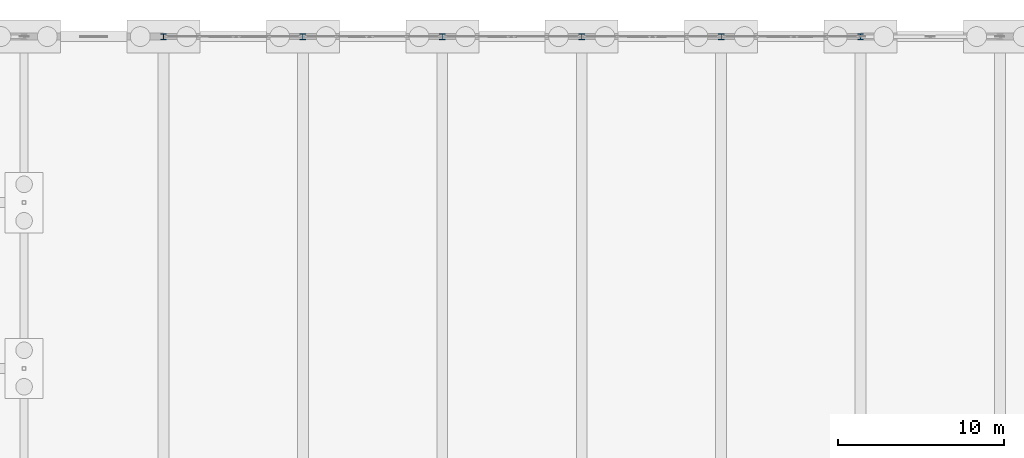
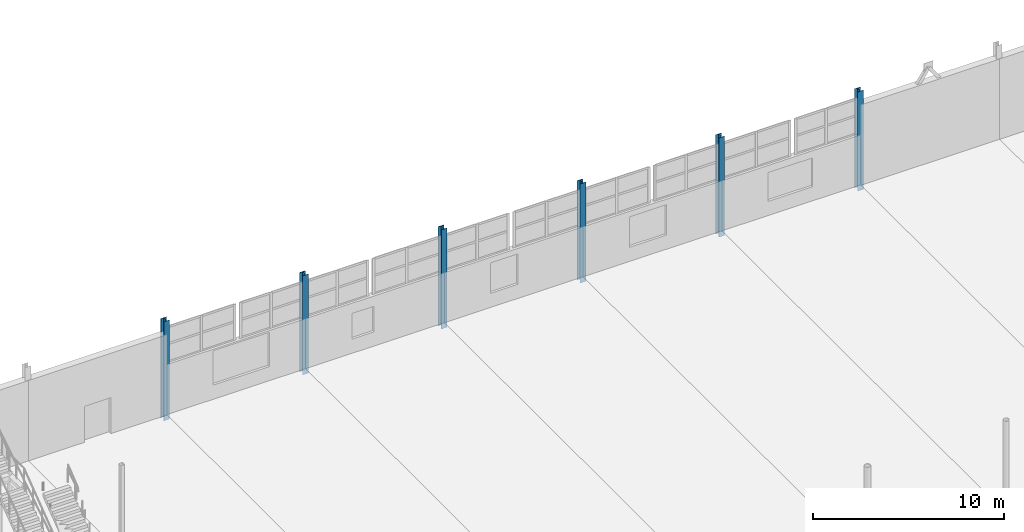
# One storey, part 49 of 139: 6 columns.
"""IFC4 building model written with IfcOpenShell, lengths in metres."""

import ifcopenshell
import ifcopenshell.guid

model = None  # the IFC model being written
_history = None  # IfcOwnerHistory: only IFC2X3 demands one
_inside = {}  # id of a spatial element -> (the spatial element, [elements in it])
_under = {}  # id of a project, library or spatial element -> (it, [spatial elements below it])
_declared = {}  # id of a project -> (the project, [libraries it declares])
_typed = {}  # id of a type object -> (the type object, [elements of that type])
_made_of = {}  # id of a material, layer set ... -> (it, [elements and type objects made of it])


def new_model(schema):
    """Start an empty IFC model of exactly this schema.

    Asked for "IFC4X3", IfcOpenShell would pick the latest addendum, in which some entities
    have other attributes; the version numbers below select the first issue.
    IFC2X3 requires an IfcOwnerHistory on every rooted entity: one is made here for all.
    """
    global model, _history
    if schema == "IFC4X3":
        model = ifcopenshell.file(schema_version=(4, 3, 0, 0))
    else:
        model = ifcopenshell.file(schema=schema)
    _inside.clear()
    _under.clear()
    _declared.clear()
    _typed.clear()
    _made_of.clear()
    _history = None
    if model.schema == "IFC2X3":
        org = make("IfcOrganization", Name="unknown")
        user = make(
            "IfcPersonAndOrganization",
            ThePerson=make("IfcPerson", FamilyName="unknown"),
            TheOrganization=org,
        )
        app = make(
            "IfcApplication",
            ApplicationDeveloper=org,
            Version="unknown",
            ApplicationFullName="unknown",
            ApplicationIdentifier="unknown",
        )
        _history = make(
            "IfcOwnerHistory",
            OwningUser=user,
            OwningApplication=app,
            ChangeAction="ADDED",
            CreationDate=0,
        )
    return model


def make(cls, **values):
    """One entity of the class cls with the attributes given. An attribute that is None is left unset."""
    return model.create_entity(
        cls, **{name: value for name, value in values.items() if value is not None}
    )


def rooted(cls, **values):
    """An entity with a GlobalId (a new one), such as an element, a storey or a relation."""
    return make(cls, GlobalId=ifcopenshell.guid.new(), OwnerHistory=_history, **values)


def si_unit(unit_type, name, prefix=None):
    """IfcSIUnit, for example si_unit("LENGTHUNIT", "METRE", prefix="MILLI")."""
    return make("IfcSIUnit", UnitType=unit_type, Prefix=prefix, Name=name)


def assignment(units):
    """IfcUnitAssignment: the units of a project."""
    return None if units is None else make("IfcUnitAssignment", Units=units)


def point(xyz):
    """IfcCartesianPoint."""
    return None if xyz is None else make("IfcCartesianPoint", Coordinates=xyz)


def direction(xyz):
    """IfcDirection."""
    return None if xyz is None else make("IfcDirection", DirectionRatios=xyz)


def frame(location, z_axis=None, x_axis=None):
    """IfcAxis2Placement3D, a coordinate frame: its origin and axes. An axis left out is left unset."""
    return make(
        "IfcAxis2Placement3D",
        Location=point(location),
        Axis=direction(z_axis),
        RefDirection=direction(x_axis),
    )


def frame_2d(location, x_axis=None):
    """IfcAxis2Placement2D, a coordinate frame in the plane: its origin and x axis."""
    return make(
        "IfcAxis2Placement2D", Location=point(location), RefDirection=direction(x_axis)
    )


def origin():
    """The frame at (0, 0, 0) with its axes left unset."""
    return frame((0.0, 0.0, 0.0))


def origin_2d():
    """The frame at (0, 0) in the plane with its x axis left unset."""
    return frame_2d((0.0, 0.0))


def place(relative_to, where):
    """IfcLocalPlacement: puts the frame where relative to a parent placement (None: the world)."""
    return make(
        "IfcLocalPlacement", PlacementRelTo=relative_to, RelativePlacement=where
    )


def context(
    kind, dimensions, precision=None, world=None, true_north=None, identifier=None
):
    """IfcGeometricRepresentationContext, for example the 3D "Model" context."""
    return make(
        "IfcGeometricRepresentationContext",
        ContextIdentifier=identifier,
        ContextType=kind,
        CoordinateSpaceDimension=dimensions,
        Precision=precision,
        WorldCoordinateSystem=world,
        TrueNorth=true_north,
    )


def subcontext(parent, identifier, kind, view, scale=None):
    """IfcGeometricRepresentationSubContext, for example "Body" below "Model"."""
    return make(
        "IfcGeometricRepresentationSubContext",
        ContextIdentifier=identifier,
        ContextType=kind,
        ParentContext=parent,
        TargetScale=scale,
        TargetView=view,
    )


def project(units=None, contexts=None):
    """IfcProject with its units and contexts."""
    return rooted(
        "IfcProject",
        Name="project",
        RepresentationContexts=contexts,
        UnitsInContext=assignment(units),
    )


def spatial(cls, under=None, at=None, **own):
    """A site, building, storey or space (cls), placed at a placement, below another one or the project."""
    s = rooted(cls, ObjectPlacement=at, **own)
    if under is not None:
        _under.setdefault(under.id(), (under, []))[1].append(s)
    return s


def profile(cls, at=None, kind="AREA", **sizes):
    """A parametric profile (cls). Its sizes go by their IFC names, for example OverallWidth=200.0."""
    return make(cls, ProfileType=kind, Position=at, **sizes)


def i_section(**sizes):
    """IfcIShapeProfileDef."""
    return profile("IfcIShapeProfileDef", **sizes)


def extrude(swept, where, along, depth):
    """IfcExtrudedAreaSolid: the profile swept, set in the frame where, extruded along a direction by depth."""
    return make(
        "IfcExtrudedAreaSolid",
        SweptArea=swept,
        Position=where,
        ExtrudedDirection=direction(along),
        Depth=depth,
    )


def shape(context_of_items, identifier, shape_type, items):
    """IfcShapeRepresentation: the items that make up one representation, for example the "Body"."""
    return make(
        "IfcShapeRepresentation",
        ContextOfItems=context_of_items,
        RepresentationIdentifier=identifier,
        RepresentationType=shape_type,
        Items=items,
    )


def material(Name=None, Category=None):
    """IfcMaterial."""
    return make("IfcMaterial", Name=Name, Category=Category)


def material_profile(
    of_material, cross_section, Name=None, Category=None, Priority=None
):
    """IfcMaterialProfile: a cross section and its material."""
    return make(
        "IfcMaterialProfile",
        Name=Name,
        Material=of_material,
        Profile=cross_section,
        Priority=Priority,
        Category=Category,
    )


def profile_set(profiles, Name=None, composite=None):
    """IfcMaterialProfileSet."""
    return make(
        "IfcMaterialProfileSet",
        Name=Name,
        MaterialProfiles=profiles,
        CompositeProfile=composite,
    )


def made_of(thing, what):
    """Note that an element or type object is made of a material, layer set ...; save() writes the relation."""
    if what is not None:
        _made_of.setdefault(what.id(), (what, []))[1].append(thing)
    return thing


def type_object(cls, material=None, **own):
    """A type object (cls), such as IfcWallType, which elements share."""
    return made_of(rooted(cls, **own), material)


def element(
    cls,
    number,
    at=None,
    inside=None,
    cuts=None,
    type_object=None,
    material=None,
    context=None,
    identifier="Body",
    shape_type=None,
    held_by="IfcProductDefinitionShape",
    body=None,
    shapes=None,
    **own,
):
    """One element of the class cls, such as IfcWall. Its Tag is "e" and its number.

    at: its placement. inside: the storey or other place that contains it. cuts: it is an
    opening in that element (IfcRelVoidsElement). A single representation is given by context,
    identifier, shape_type and body (its items); several are given by shapes. held_by: the class
    of the entity that holds the representations. save() writes the other relations.
    """
    e = rooted(cls, Tag="e%d" % number, ObjectPlacement=at, **own)
    if body is not None:
        shapes = [shape(context, identifier, shape_type, body)]
    if shapes is not None:
        e.Representation = make(held_by, Representations=shapes)
    if inside is not None:
        _inside.setdefault(inside.id(), (inside, []))[1].append(e)
    if cuts is not None:
        rooted(
            "IfcRelVoidsElement", RelatingBuildingElement=cuts, RelatedOpeningElement=e
        )
    if type_object is not None:
        _typed.setdefault(type_object.id(), (type_object, []))[1].append(e)
    return made_of(e, material)


def aggregate(whole, parts):
    """IfcRelAggregates: a whole, such as a stair, and the parts it consists of."""
    return rooted("IfcRelAggregates", RelatingObject=whole, RelatedObjects=parts)


def save(model, path):
    """Write the relations noted so far, then the file.

    IfcRelAggregates (storeys below a building ...), IfcRelContainedInSpatialStructure (elements
    in a storey), IfcRelDefinesByType, IfcRelAssociatesMaterial and IfcRelDeclares: one each for
    every whole, place, type object, material and project.
    """
    for whole, parts in _under.values():
        aggregate(whole, parts)
    for where, things in _inside.values():
        rooted(
            "IfcRelContainedInSpatialStructure",
            RelatedElements=things,
            RelatingStructure=where,
        )
    for kind, things in _typed.values():
        rooted("IfcRelDefinesByType", RelatedObjects=things, RelatingType=kind)
    for what, things in _made_of.values():
        rooted("IfcRelAssociatesMaterial", RelatedObjects=things, RelatingMaterial=what)
    for by, libraries in _declared.values():
        rooted("IfcRelDeclares", RelatingContext=by, RelatedDefinitions=libraries)
    model.write(path)


model = new_model("IFC4")

# Units and contexts
model_context = context("Model", 3, precision=1e-05, world=origin(), true_north=direction((0.0, 1.0)))
body_context = subcontext(model_context, "Body", "Model", "MODEL_VIEW")
ifc_project = project(units=[si_unit("LENGTHUNIT", "METRE"), si_unit("AREAUNIT", "SQUARE_METRE"), si_unit("VOLUMEUNIT", "CUBIC_METRE"), si_unit("PLANEANGLEUNIT", "RADIAN"), si_unit("MASSUNIT", "GRAM", prefix="KILO")], contexts=[model_context])

# Site, building, storey
site_placement = place(None, origin())
site = spatial("IfcSite", under=ifc_project, at=site_placement, CompositionType="ELEMENT")
building_placement = place(site_placement, origin())
building = spatial("IfcBuilding", under=site, at=building_placement, Name="Kazenagashi Tramway Depot", CompositionType="ELEMENT")
storey_placement = place(building_placement, origin())
storey = spatial("IfcBuildingStorey", under=building, at=storey_placement, Name="L01", CompositionType="ELEMENT", Elevation=0.0)

# Columns
ifc_material = material(Name="Steel SN490B", Category="steel")
ifc_material_profile = material_profile(ifc_material, i_section(OverallWidth=0.35, OverallDepth=0.35, WebThickness=0.012, FlangeThickness=0.019, at=origin_2d()), Name="H-350x350x12x19")
ifc_profile_set = profile_set([ifc_material_profile], Name="Steel SN490B")
column_type = type_object("IfcColumnType", Name="C-04", PredefinedType="COLUMN", material=ifc_profile_set)
for number, where, z_axis, x_axis, name in (
    (1, (70.0, 130.0, -0.35), (0.0, 0.0, 1.0), (1.0, 0.0, 0.0), "Column C-04 COL-0023"),
    (2, (78.4, 130.0, -0.35), (0.0, 0.0, 1.0), (1.0, 0.0, 0.0), "Column C-04 COL-0029"),
    (3, (86.8, 130.0, -0.35), (0.0, 0.0, 1.0), (1.0, 0.0, 0.0), "Column C-04 COL-0035"),
    (4, (95.2, 130.0, -0.35), (0.0, 0.0, 1.0), (1.0, 0.0, 0.0), "Column C-04 COL-0041"),
    (5, (103.6, 130.0, -0.35), (0.0, 0.0, 1.0), (1.0, 0.0, 0.0), "Column C-04 COL-0047"),
    (6, (112.0, 130.0, -0.35), (0.0, 0.0, 1.0), (1.0, 0.0, 0.0), "Column C-04 COL-0053"),
):
    element("IfcColumn", number, at=place(storey_placement, frame(where, z_axis=z_axis, x_axis=x_axis)), inside=storey, type_object=column_type, Name=name, PredefinedType="COLUMN", context=body_context, shape_type="SweptSolid", body=[
        extrude(i_section(OverallWidth=0.35, OverallDepth=0.35, WebThickness=0.012, FlangeThickness=0.019, at=origin_2d()), origin(), (0.0, 0.0, 1.0), 6.35),
    ])

save(model, "model.ifc")
